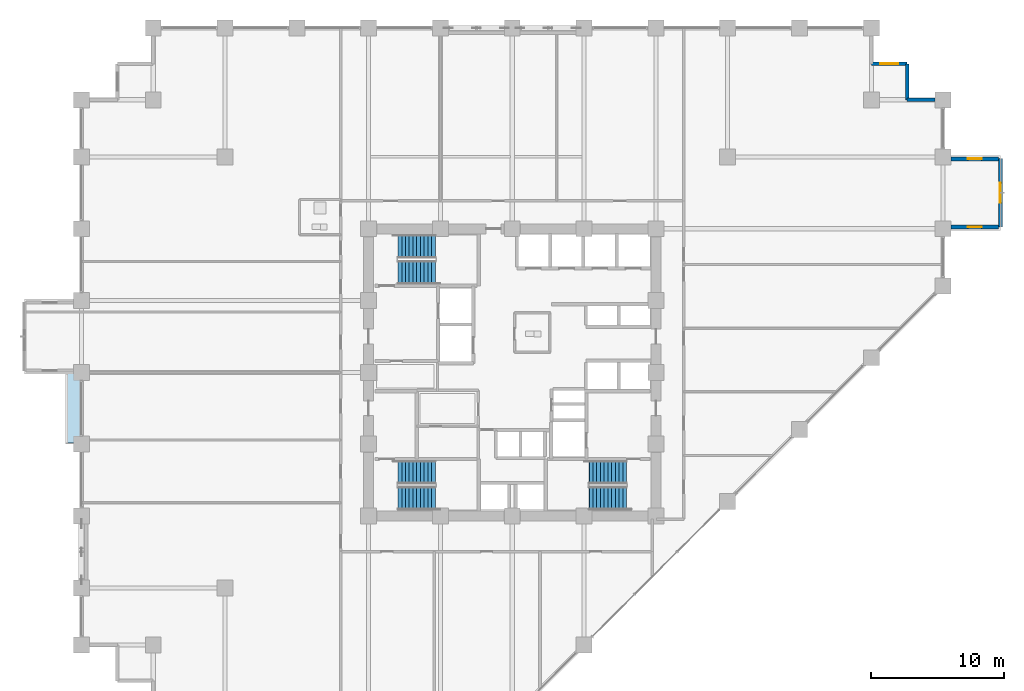
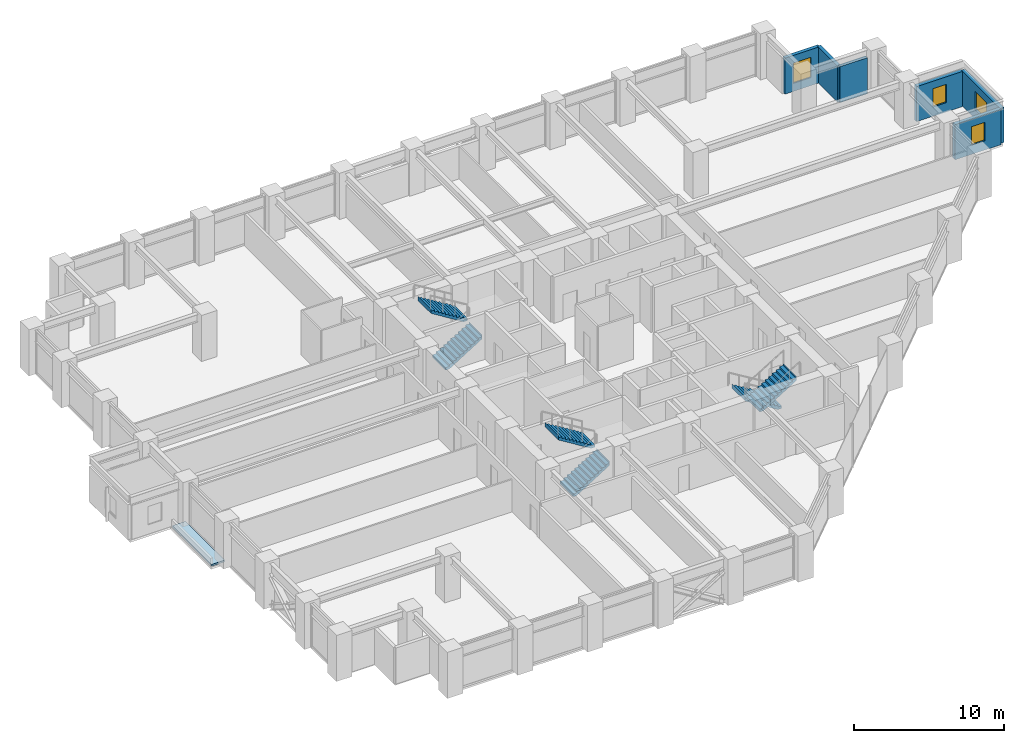
# One storey, part 24 of 28: 6 stair flights, 6 walls, 4 windows, 1 roof, 4 openings, 3 elements without a shape of their own.
"""IFC4 building model written with IfcOpenShell, lengths in metres."""

from ifc_helpers import new_model, si_unit, direction, frame, frame_2d, origin, place, context, subcontext, project, spatial, polyline, rectangle, outline, extrude, material, layer, layer_set, type_object, element, fill, aggregate, save


model = new_model("IFC4")

# Units and contexts
model_context = context("Model", 3, precision=1e-05, world=origin(), true_north=direction((0.0, 1.0)))
body_context = subcontext(model_context, "Body", "Model", "MODEL_VIEW")
ifc_project = project(units=[si_unit("LENGTHUNIT", "METRE"), si_unit("AREAUNIT", "SQUARE_METRE"), si_unit("VOLUMEUNIT", "CUBIC_METRE"), si_unit("PLANEANGLEUNIT", "RADIAN"), si_unit("MASSUNIT", "GRAM", prefix="KILO")], contexts=[model_context])

# Site, building, storey
site_placement = place(None, origin())
site = spatial("IfcSite", under=ifc_project, at=site_placement, CompositionType="ELEMENT")
building_placement = place(site_placement, origin())
building = spatial("IfcBuilding", under=site, at=building_placement, Name="Surkhivell Harbour Commons", CompositionType="ELEMENT")
storey_placement = place(building_placement, frame((0.0, 0.0, 63.75)))
storey = spatial("IfcBuildingStorey", under=building, at=storey_placement, Name="L16", CompositionType="ELEMENT", Elevation=63.75)

# Wall, opening, window
ifc_material_1 = material(Name="Flemish-bond kiln brick and precast concrete C45/55", Category="masonry")
ifc_layer_1 = layer(ifc_material_1, 0.300048828125)
ifc_layer_set_1 = layer_set([ifc_layer_1], Name="Flemish-bond kiln brick and precast concrete C45/55")
wall_type_1 = type_object("IfcWallType", Name="WAL-EXT-BRK300", PredefinedType="STANDARD", material=ifc_layer_set_1)
wall_1_placement = place(storey_placement, frame((36.699951171875, 10.919921875, 0.0), z_axis=(0.0, 0.0, 1.0), x_axis=(0.0, 1.0, 0.0)))
wall_1 = element("IfcWall", 1, at=wall_1_placement, inside=storey, type_object=wall_type_1, Name="L16 Coloured Box Front Wall 01", PredefinedType="STANDARD", context=body_context, shape_type="SweptSolid", body=[
    extrude(rectangle(XDim=5.16015625, YDim=0.300048828125, at=frame_2d((2.580078125, 0.0))), origin(), (0.0, 0.0, 1.0), 2.85693359375),
])
opening_1_placement = place(wall_1_placement, frame((1.830078125, 0.0, 0.75)))
opening_1 = element("IfcOpeningElement", 2, at=opening_1_placement, cuts=wall_1, Name="Opening WN-13", PredefinedType="OPENING", context=body_context, shape_type="SweptSolid", body=[
    extrude(rectangle(XDim=1.5, YDim=1.5, at=frame_2d((0.75, 0.75))), frame((0.0, 0.159912109375, 0.0), z_axis=(0.0, -1.0, 0.0), x_axis=(1.0, 0.0, 0.0)), (0.0, 0.0, 1.0), 0.320068359375),
])
ifc_material_2 = material(Name="Thermal-break aluminium frame and double low-E glazing", Category="aluminium")
window_type_1 = type_object("IfcWindowType", Name="WIN-BOX-1500x1500", PartitioningType="SINGLE_PANEL", PredefinedType="WINDOW", material=ifc_material_2)
window_1_placement = place(opening_1_placement, origin())
window_1 = element("IfcWindow", 3, at=window_1_placement, inside=storey, type_object=window_type_1, Name="L16 Coloured Box Square Window 01-1", OverallHeight=1.5, OverallWidth=1.5, PartitioningType="SINGLE_PANEL", PredefinedType="WINDOW", context=body_context, shape_type="SweptSolid", body=[
    extrude(rectangle(XDim=1.5, YDim=1.5, at=frame_2d((0.75, 0.75))), frame((0.0, 0.030029296875, 0.0), z_axis=(0.0, -1.0, 0.0), x_axis=(1.0, 0.0, 0.0)), (0.0, 0.0, 1.0), 0.06005859375),
])
fill(opening_1, window_1)

wall_2_placement = place(storey_placement, frame((33.00390625, 10.93994140625, 0.0), z_axis=(0.0, 0.0, 1.0), x_axis=(1.0, 0.0, 0.0)))
wall_2 = element("IfcWall", 4, at=wall_2_placement, inside=storey, type_object=wall_type_1, Name="L16 Coloured Box Return Wall 01S", PredefinedType="STANDARD", context=body_context, shape_type="SweptSolid", body=[
    extrude(rectangle(XDim=3.55615234375, YDim=0.300048828125, at=frame_2d((1.778076171875, 0.0))), origin(), (0.0, 0.0, 1.0), 2.85693359375),
])
opening_2_placement = place(wall_2_placement, frame((1.2529296875, 0.0, 0.75)))
opening_2 = element("IfcOpeningElement", 5, at=opening_2_placement, cuts=wall_2, Name="Opening WN-11", PredefinedType="OPENING", context=body_context, shape_type="SweptSolid", body=[
    extrude(rectangle(XDim=1.050048828125, YDim=1.5, at=frame_2d((0.52490234375, 0.75))), frame((0.0, 0.159912109375, 0.0), z_axis=(0.0, -1.0, 0.0), x_axis=(1.0, 0.0, 0.0)), (0.0, 0.0, 1.0), 0.320068359375),
])
window_type_2 = type_object("IfcWindowType", Name="WIN-SER-1050x1500", PartitioningType="SINGLE_PANEL", PredefinedType="WINDOW", material=ifc_material_2)
window_2_placement = place(opening_2_placement, origin())
window_2 = element("IfcWindow", 6, at=window_2_placement, inside=storey, type_object=window_type_2, Name="L16 Coloured Box Return Window 01S", OverallHeight=1.5, OverallWidth=1.050048828125, PartitioningType="SINGLE_PANEL", PredefinedType="WINDOW", context=body_context, shape_type="SweptSolid", body=[
    extrude(rectangle(XDim=1.050048828125, YDim=1.5, at=frame_2d((0.52490234375, 0.75))), frame((0.0, 0.030029296875, 0.0), z_axis=(0.0, -1.0, 0.0), x_axis=(1.0, 0.0, 0.0)), (0.0, 0.0, 1.0), 0.06005859375),
])
fill(opening_2, window_2)

wall_3_placement = place(storey_placement, frame((33.00390625, 16.06005859375, 0.0), z_axis=(0.0, 0.0, 1.0), x_axis=(1.0, 0.0, 0.0)))
wall_3 = element("IfcWall", 7, at=wall_3_placement, inside=storey, type_object=wall_type_1, Name="L16 Coloured Box Return Wall 01N", PredefinedType="STANDARD", context=body_context, shape_type="SweptSolid", body=[
    extrude(rectangle(XDim=3.55615234375, YDim=0.300048828125, at=frame_2d((1.778076171875, 0.0))), origin(), (0.0, 0.0, 1.0), 2.85693359375),
])
opening_3_placement = place(wall_3_placement, frame((1.2529296875, 0.0, 0.75)))
opening_3 = element("IfcOpeningElement", 8, at=opening_3_placement, cuts=wall_3, Name="Opening WN-11", PredefinedType="OPENING", context=body_context, shape_type="SweptSolid", body=[
    extrude(rectangle(XDim=1.050048828125, YDim=1.5, at=frame_2d((0.52490234375, 0.75))), frame((0.0, 0.159912109375, 0.0), z_axis=(0.0, -1.0, 0.0), x_axis=(1.0, 0.0, 0.0)), (0.0, 0.0, 1.0), 0.320068359375),
])
window_3_placement = place(opening_3_placement, origin())
window_3 = element("IfcWindow", 9, at=window_3_placement, inside=storey, type_object=window_type_2, Name="L16 Coloured Box Return Window 01N", OverallHeight=1.5, OverallWidth=1.050048828125, PartitioningType="SINGLE_PANEL", PredefinedType="WINDOW", context=body_context, shape_type="SweptSolid", body=[
    extrude(rectangle(XDim=1.050048828125, YDim=1.5, at=frame_2d((0.52490234375, 0.75))), frame((0.0, 0.030029296875, 0.0), z_axis=(0.0, -1.0, 0.0), x_axis=(1.0, 0.0, 0.0)), (0.0, 0.0, 1.0), 0.06005859375),
])
fill(opening_3, window_3)

# Walls
ifc_material_3 = material(Name="Pale-metal insulated precast concrete C45/55", Category="concrete")
ifc_layer_2 = layer(ifc_material_3, 0.260009765625)
ifc_layer_set_2 = layer_set([ifc_layer_2], Name="Pale-metal insulated precast concrete C45/55")
wall_type_2 = type_object("IfcWallType", Name="WAL-EXT-MTL260", PredefinedType="STANDARD", material=ifc_layer_set_2)
wall_4_placement = place(storey_placement, frame((31.802001953125, 20.5, 0.0), z_axis=(0.0, 0.0, 1.0), x_axis=(-1.0, 0.0, 0.0)))
element("IfcWall", 10, at=wall_4_placement, inside=storey, type_object=wall_type_2, Name="L16 Serrated Corner Facade Wall 03", PredefinedType="STANDARD", context=body_context, shape_type="SweptSolid", body=[
    extrude(rectangle(XDim=2.10205078125, YDim=0.260009765625, at=frame_2d((1.051025390625, 0.0))), origin(), (0.0, 0.0, 1.0), 2.929931640625),
])
wall_5_placement = place(storey_placement, frame((29.699951171875, 20.5, 0.0), z_axis=(0.0, 0.0, 1.0), x_axis=(0.0, 1.0, 0.0)))
element("IfcWall", 11, at=wall_5_placement, inside=storey, type_object=wall_type_2, Name="L16 Serrated Corner Facade Wall 04", PredefinedType="STANDARD", context=body_context, shape_type="SweptSolid", body=[
    extrude(rectangle(XDim=2.699951171875, YDim=0.260009765625, at=frame_2d((1.35009765625, 0.0))), origin(), (0.0, 0.0, 1.0), 2.929931640625),
])

# Wall, opening, window
wall_6_placement = place(storey_placement, frame((29.699951171875, 23.199951171875, 0.0), z_axis=(0.0, 0.0, 1.0), x_axis=(-1.0, 0.0, 0.0)))
wall_6 = element("IfcWall", 12, at=wall_6_placement, inside=storey, type_object=wall_type_2, Name="L16 Serrated Corner Facade Wall 05", PredefinedType="STANDARD", context=body_context, shape_type="SweptSolid", body=[
    extrude(rectangle(XDim=2.699951171875, YDim=0.260009765625, at=frame_2d((1.35009765625, 0.0))), origin(), (0.0, 0.0, 1.0), 2.929931640625),
])
opening_4_placement = place(wall_6_placement, frame((0.675048828125, 0.0, 0.64990234375)))
opening_4 = element("IfcOpeningElement", 13, at=opening_4_placement, cuts=wall_6, Name="Opening WN-08", PredefinedType="OPENING", context=body_context, shape_type="SweptSolid", body=[
    extrude(rectangle(XDim=1.35009765625, YDim=1.64990234375, at=frame_2d((0.675048828125, 0.824951171875))), frame((0.0, 0.139892578125, 0.0), z_axis=(0.0, -1.0, 0.0), x_axis=(1.0, 0.0, 0.0)), (0.0, 0.0, 1.0), 0.280029296875),
])
window_type_3 = type_object("IfcWindowType", Name="WIN-SER-1350x1650", PartitioningType="SINGLE_PANEL", PredefinedType="WINDOW", material=ifc_material_2)
window_4_placement = place(opening_4_placement, origin())
window_4 = element("IfcWindow", 14, at=window_4_placement, inside=storey, type_object=window_type_3, Name="L16 Serrated Alcove Window 05", OverallHeight=1.64990234375, OverallWidth=1.35009765625, PartitioningType="SINGLE_PANEL", PredefinedType="WINDOW", context=body_context, shape_type="SweptSolid", body=[
    extrude(rectangle(XDim=1.35009765625, YDim=1.64990234375, at=frame_2d((0.675048828125, 0.824951171875))), frame((0.0, 0.030029296875, 0.0), z_axis=(0.0, -1.0, 0.0), x_axis=(1.0, 0.0, 0.0)), (0.0, 0.0, 1.0), 0.06005859375),
])
fill(opening_4, window_4)

# Stair, stair flights
ifc_material_4 = material(Name="Precast concrete C45/55", Category="concrete")
stair_type = type_object("IfcStairType", Name="STR-DL-375", PredefinedType="HALF_TURN_STAIR", material=ifc_material_4)
stair_1_placement = place(storey_placement, origin())
stair_1 = element("IfcStair", 15, at=stair_1_placement, inside=storey, type_object=stair_type, Name="L16 Core Exit Stair ST1", PredefinedType="HALF_TURN_STAIR")
stair_flight_type = type_object("IfcStairFlightType", Name="STF-DL-375", PredefinedType="STRAIGHT", material=ifc_material_4)
stair_flight_1_placement = place(storey_placement, frame((-8.590087890625, 7.514892578125, 0.0), z_axis=(0.0, 0.0, 1.0), x_axis=(1.0, 0.0, 0.0)))
stair_flight_1 = element("IfcStairFlight", 16, at=stair_flight_1_placement, type_object=stair_flight_type, Name="ST1 flight 1", NumberOfRisers=11, NumberOfTreads=10, PredefinedType="STRAIGHT", RiserHeight=0.170454545, TreadLength=0.28, context=body_context, shape_type="SweptSolid", body=[
    extrude(outline(polyline([(-0.0029296875, -0.034912109375), (-0.0029296875, 0.0), (0.0, 0.0), (0.0, 0.17041015625), (0.280029296875, 0.17041015625), (0.280029296875, 0.3408203125), (0.56005859375, 0.3408203125), (0.56005859375, 0.511474609375), (0.840087890625, 0.511474609375), (0.840087890625, 0.681884765625), (1.1201171875, 0.681884765625), (1.1201171875, 0.852294921875), (1.39990234375, 0.852294921875), (1.39990234375, 1.022705078125), (1.679931640625, 1.022705078125), (1.679931640625, 1.193115234375), (1.9599609375, 1.193115234375), (1.9599609375, 1.363525390625), (2.239990234375, 1.363525390625), (2.239990234375, 1.5341796875), (2.52001953125, 1.5341796875), (2.52001953125, 1.70458984375), (2.800048828125, 1.70458984375), (2.800048828125, 1.875), (2.802978515625, 1.875), (2.802978515625, 1.529052734375), (0.288330078125, -0.034912109375), (-0.0029296875, -0.034912109375)])), frame((0.0, 0.875, 0.0), z_axis=(0.0, -1.0, 0.0), x_axis=(1.0, 0.0, 0.0)), (0.0, 0.0, 1.0), 1.75),
])
stair_flight_2_placement = place(storey_placement, frame((-5.7900390625, 9.465087890625, 1.875), z_axis=(0.0, 0.0, 1.0), x_axis=(-1.0, 0.0, 0.0)))
stair_flight_2 = element("IfcStairFlight", 17, at=stair_flight_2_placement, type_object=stair_flight_type, Name="ST1 flight 2", NumberOfRisers=11, NumberOfTreads=10, PredefinedType="STRAIGHT", RiserHeight=0.170454545, TreadLength=0.28, context=body_context, shape_type="SweptSolid", body=[
    extrude(outline(polyline([(-0.0029296875, -0.034912109375), (-0.0029296875, 0.0), (0.0, 0.0), (0.0, 0.17041015625), (0.280029296875, 0.17041015625), (0.280029296875, 0.3408203125), (0.56005859375, 0.3408203125), (0.56005859375, 0.511474609375), (0.840087890625, 0.511474609375), (0.840087890625, 0.681884765625), (1.1201171875, 0.681884765625), (1.1201171875, 0.852294921875), (1.39990234375, 0.852294921875), (1.39990234375, 1.022705078125), (1.679931640625, 1.022705078125), (1.679931640625, 1.193115234375), (1.9599609375, 1.193115234375), (1.9599609375, 1.363525390625), (2.239990234375, 1.363525390625), (2.239990234375, 1.5341796875), (2.52001953125, 1.5341796875), (2.52001953125, 1.70458984375), (2.800048828125, 1.70458984375), (2.800048828125, 1.875), (2.802978515625, 1.875), (2.802978515625, 1.529052734375), (0.288330078125, -0.034912109375), (-0.0029296875, -0.034912109375)])), frame((0.0, 0.875, 0.0), z_axis=(0.0, -1.0, 0.0), x_axis=(1.0, 0.0, 0.0)), (0.0, 0.0, 1.0), 1.75),
])
aggregate(stair_1, [stair_flight_1, stair_flight_2])

stair_2_placement = place(storey_placement, origin())
stair_2 = element("IfcStair", 18, at=stair_2_placement, inside=storey, type_object=stair_type, Name="L16 Core Exit Stair ST2", PredefinedType="HALF_TURN_STAIR")
stair_flight_3_placement = place(storey_placement, frame((8.590087890625, -7.514892578125, 0.0), z_axis=(0.0, 0.0, 1.0), x_axis=(-1.0, 0.0, 0.0)))
stair_flight_3 = element("IfcStairFlight", 19, at=stair_flight_3_placement, type_object=stair_flight_type, Name="ST2 flight 1", NumberOfRisers=11, NumberOfTreads=10, PredefinedType="STRAIGHT", RiserHeight=0.170454545, TreadLength=0.28, context=body_context, shape_type="SweptSolid", body=[
    extrude(outline(polyline([(-0.0029296875, -0.034912109375), (-0.0029296875, 0.0), (0.0, 0.0), (0.0, 0.17041015625), (0.280029296875, 0.17041015625), (0.280029296875, 0.3408203125), (0.56005859375, 0.3408203125), (0.56005859375, 0.511474609375), (0.840087890625, 0.511474609375), (0.840087890625, 0.681884765625), (1.1201171875, 0.681884765625), (1.1201171875, 0.852294921875), (1.39990234375, 0.852294921875), (1.39990234375, 1.022705078125), (1.679931640625, 1.022705078125), (1.679931640625, 1.193115234375), (1.9599609375, 1.193115234375), (1.9599609375, 1.363525390625), (2.239990234375, 1.363525390625), (2.239990234375, 1.5341796875), (2.52001953125, 1.5341796875), (2.52001953125, 1.70458984375), (2.800048828125, 1.70458984375), (2.800048828125, 1.875), (2.802978515625, 1.875), (2.802978515625, 1.529052734375), (0.288330078125, -0.034912109375), (-0.0029296875, -0.034912109375)])), frame((0.0, 0.875, 0.0), z_axis=(0.0, -1.0, 0.0), x_axis=(1.0, 0.0, 0.0)), (0.0, 0.0, 1.0), 1.75),
])
stair_flight_4_placement = place(storey_placement, frame((5.7900390625, -9.465087890625, 1.875), z_axis=(0.0, 0.0, 1.0), x_axis=(1.0, 0.0, 0.0)))
stair_flight_4 = element("IfcStairFlight", 20, at=stair_flight_4_placement, type_object=stair_flight_type, Name="ST2 flight 2", NumberOfRisers=11, NumberOfTreads=10, PredefinedType="STRAIGHT", RiserHeight=0.170454545, TreadLength=0.28, context=body_context, shape_type="SweptSolid", body=[
    extrude(outline(polyline([(-0.0029296875, -0.034912109375), (-0.0029296875, 0.0), (0.0, 0.0), (0.0, 0.17041015625), (0.280029296875, 0.17041015625), (0.280029296875, 0.3408203125), (0.56005859375, 0.3408203125), (0.56005859375, 0.511474609375), (0.840087890625, 0.511474609375), (0.840087890625, 0.681884765625), (1.1201171875, 0.681884765625), (1.1201171875, 0.852294921875), (1.39990234375, 0.852294921875), (1.39990234375, 1.022705078125), (1.679931640625, 1.022705078125), (1.679931640625, 1.193115234375), (1.9599609375, 1.193115234375), (1.9599609375, 1.363525390625), (2.239990234375, 1.363525390625), (2.239990234375, 1.5341796875), (2.52001953125, 1.5341796875), (2.52001953125, 1.70458984375), (2.800048828125, 1.70458984375), (2.800048828125, 1.875), (2.802978515625, 1.875), (2.802978515625, 1.529052734375), (0.288330078125, -0.034912109375), (-0.0029296875, -0.034912109375)])), frame((0.0, 0.875, 0.0), z_axis=(0.0, -1.0, 0.0), x_axis=(1.0, 0.0, 0.0)), (0.0, 0.0, 1.0), 1.75),
])
aggregate(stair_2, [stair_flight_3, stair_flight_4])

stair_3_placement = place(storey_placement, origin())
stair_3 = element("IfcStair", 21, at=stair_3_placement, inside=storey, type_object=stair_type, Name="L16 Core Exit Stair ST3", PredefinedType="HALF_TURN_STAIR")
stair_flight_5_placement = place(storey_placement, frame((-8.590087890625, -9.465087890625, 0.0), z_axis=(0.0, 0.0, 1.0), x_axis=(1.0, 0.0, 0.0)))
stair_flight_5 = element("IfcStairFlight", 22, at=stair_flight_5_placement, type_object=stair_flight_type, Name="ST3 flight 1", NumberOfRisers=11, NumberOfTreads=10, PredefinedType="STRAIGHT", RiserHeight=0.170454545, TreadLength=0.28, context=body_context, shape_type="SweptSolid", body=[
    extrude(outline(polyline([(-0.0029296875, -0.034912109375), (-0.0029296875, 0.0), (0.0, 0.0), (0.0, 0.17041015625), (0.280029296875, 0.17041015625), (0.280029296875, 0.3408203125), (0.56005859375, 0.3408203125), (0.56005859375, 0.511474609375), (0.840087890625, 0.511474609375), (0.840087890625, 0.681884765625), (1.1201171875, 0.681884765625), (1.1201171875, 0.852294921875), (1.39990234375, 0.852294921875), (1.39990234375, 1.022705078125), (1.679931640625, 1.022705078125), (1.679931640625, 1.193115234375), (1.9599609375, 1.193115234375), (1.9599609375, 1.363525390625), (2.239990234375, 1.363525390625), (2.239990234375, 1.5341796875), (2.52001953125, 1.5341796875), (2.52001953125, 1.70458984375), (2.800048828125, 1.70458984375), (2.800048828125, 1.875), (2.802978515625, 1.875), (2.802978515625, 1.529052734375), (0.288330078125, -0.034912109375), (-0.0029296875, -0.034912109375)])), frame((0.0, 0.875, 0.0), z_axis=(0.0, -1.0, 0.0), x_axis=(1.0, 0.0, 0.0)), (0.0, 0.0, 1.0), 1.75),
])
stair_flight_6_placement = place(storey_placement, frame((-5.7900390625, -7.514892578125, 1.875), z_axis=(0.0, 0.0, 1.0), x_axis=(-1.0, 0.0, 0.0)))
stair_flight_6 = element("IfcStairFlight", 23, at=stair_flight_6_placement, type_object=stair_flight_type, Name="ST3 flight 2", NumberOfRisers=11, NumberOfTreads=10, PredefinedType="STRAIGHT", RiserHeight=0.170454545, TreadLength=0.28, context=body_context, shape_type="SweptSolid", body=[
    extrude(outline(polyline([(-0.0029296875, -0.034912109375), (-0.0029296875, 0.0), (0.0, 0.0), (0.0, 0.17041015625), (0.280029296875, 0.17041015625), (0.280029296875, 0.3408203125), (0.56005859375, 0.3408203125), (0.56005859375, 0.511474609375), (0.840087890625, 0.511474609375), (0.840087890625, 0.681884765625), (1.1201171875, 0.681884765625), (1.1201171875, 0.852294921875), (1.39990234375, 0.852294921875), (1.39990234375, 1.022705078125), (1.679931640625, 1.022705078125), (1.679931640625, 1.193115234375), (1.9599609375, 1.193115234375), (1.9599609375, 1.363525390625), (2.239990234375, 1.363525390625), (2.239990234375, 1.5341796875), (2.52001953125, 1.5341796875), (2.52001953125, 1.70458984375), (2.800048828125, 1.70458984375), (2.800048828125, 1.875), (2.802978515625, 1.875), (2.802978515625, 1.529052734375), (0.288330078125, -0.034912109375), (-0.0029296875, -0.034912109375)])), frame((0.0, 0.875, 0.0), z_axis=(0.0, -1.0, 0.0), x_axis=(1.0, 0.0, 0.0)), (0.0, 0.0, 1.0), 1.75),
])
aggregate(stair_3, [stair_flight_5, stair_flight_6])

# Roof
ifc_material_5 = material(Name="Vermilion-coral and saffron enamelled aluminium box roof cap", Category="aluminium")
ifc_layer_3 = layer(ifc_material_5, 0.139892578125)
ifc_layer_set_3 = layer_set([ifc_layer_3], Name="Vermilion-coral and saffron enamelled aluminium box roof cap")
roof_type = type_object("IfcRoofType", Name="ROF-BOX-CAP", PredefinedType="FLAT_ROOF", material=ifc_layer_set_3)
roof_placement = place(storey_placement, origin())
element("IfcRoof", 24, at=roof_placement, inside=storey, type_object=roof_type, Name="L16 Closed Coloured Box Roof Cap 1-1", PredefinedType="FLAT_ROOF", context=body_context, shape_type="SweptSolid", body=[
    extrude(outline(polyline([(-32.5, -5.320068359375), (-32.5, -0.10009765625), (-33.52001953125, -0.10009765625), (-33.52001953125, -5.320068359375), (-32.5, -5.320068359375)])), origin(), (0.0, 0.0, 1.0), 0.139892578125),
])

save(model, "model.ifc")
